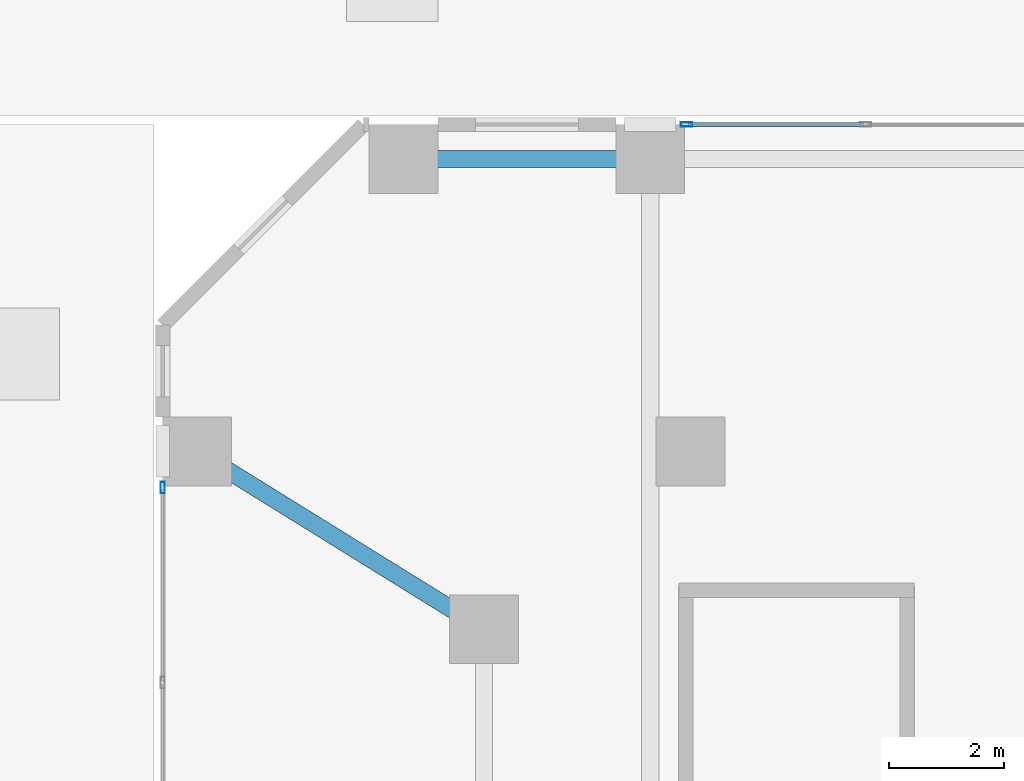
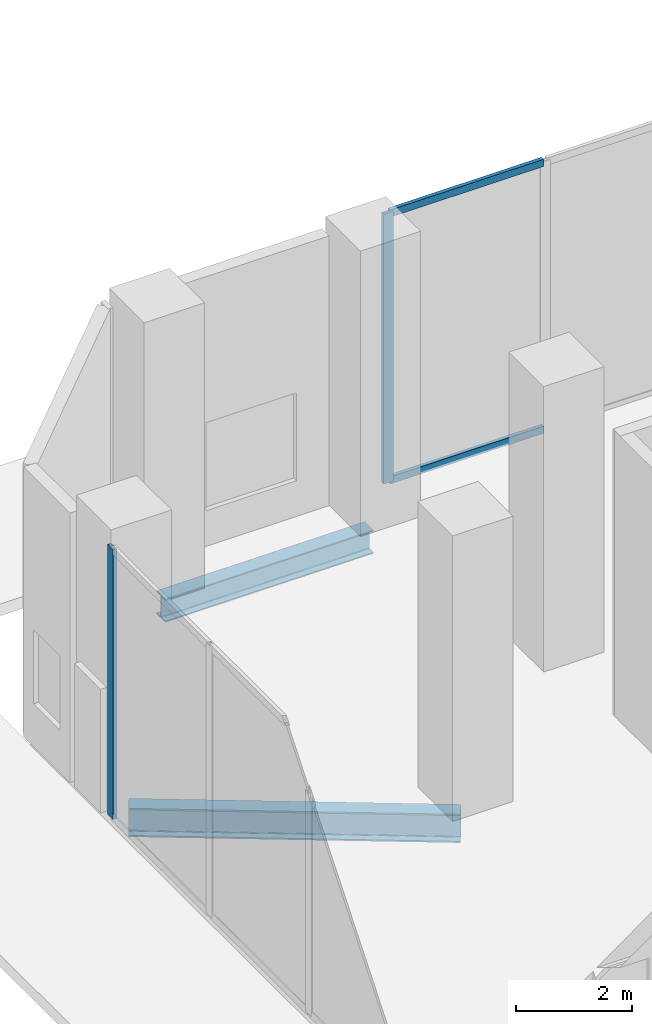
# One storey, part 8 of 26: 4 members, 2 beams, 2 elements without a shape of their own.
"""IFC4 building model written with IfcOpenShell, lengths in metres."""

import ifcopenshell
import ifcopenshell.guid

model = None  # the IFC model being written
_history = None  # IfcOwnerHistory: only IFC2X3 demands one
_inside = {}  # id of a spatial element -> (the spatial element, [elements in it])
_under = {}  # id of a project, library or spatial element -> (it, [spatial elements below it])
_declared = {}  # id of a project -> (the project, [libraries it declares])
_typed = {}  # id of a type object -> (the type object, [elements of that type])
_made_of = {}  # id of a material, layer set ... -> (it, [elements and type objects made of it])


def new_model(schema):
    """Start an empty IFC model of exactly this schema.

    Asked for "IFC4X3", IfcOpenShell would pick the latest addendum, in which some entities
    have other attributes; the version numbers below select the first issue.
    IFC2X3 requires an IfcOwnerHistory on every rooted entity: one is made here for all.
    """
    global model, _history
    if schema == "IFC4X3":
        model = ifcopenshell.file(schema_version=(4, 3, 0, 0))
    else:
        model = ifcopenshell.file(schema=schema)
    _inside.clear()
    _under.clear()
    _declared.clear()
    _typed.clear()
    _made_of.clear()
    _history = None
    if model.schema == "IFC2X3":
        org = make("IfcOrganization", Name="unknown")
        user = make(
            "IfcPersonAndOrganization",
            ThePerson=make("IfcPerson", FamilyName="unknown"),
            TheOrganization=org,
        )
        app = make(
            "IfcApplication",
            ApplicationDeveloper=org,
            Version="unknown",
            ApplicationFullName="unknown",
            ApplicationIdentifier="unknown",
        )
        _history = make(
            "IfcOwnerHistory",
            OwningUser=user,
            OwningApplication=app,
            ChangeAction="ADDED",
            CreationDate=0,
        )
    return model


def make(cls, **values):
    """One entity of the class cls with the attributes given. An attribute that is None is left unset."""
    return model.create_entity(
        cls, **{name: value for name, value in values.items() if value is not None}
    )


def rooted(cls, **values):
    """An entity with a GlobalId (a new one), such as an element, a storey or a relation."""
    return make(cls, GlobalId=ifcopenshell.guid.new(), OwnerHistory=_history, **values)


def si_unit(unit_type, name, prefix=None):
    """IfcSIUnit, for example si_unit("LENGTHUNIT", "METRE", prefix="MILLI")."""
    return make("IfcSIUnit", UnitType=unit_type, Prefix=prefix, Name=name)


def assignment(units):
    """IfcUnitAssignment: the units of a project."""
    return None if units is None else make("IfcUnitAssignment", Units=units)


def point(xyz):
    """IfcCartesianPoint."""
    return None if xyz is None else make("IfcCartesianPoint", Coordinates=xyz)


def direction(xyz):
    """IfcDirection."""
    return None if xyz is None else make("IfcDirection", DirectionRatios=xyz)


def frame(location, z_axis=None, x_axis=None):
    """IfcAxis2Placement3D, a coordinate frame: its origin and axes. An axis left out is left unset."""
    return make(
        "IfcAxis2Placement3D",
        Location=point(location),
        Axis=direction(z_axis),
        RefDirection=direction(x_axis),
    )


def frame_2d(location, x_axis=None):
    """IfcAxis2Placement2D, a coordinate frame in the plane: its origin and x axis."""
    return make(
        "IfcAxis2Placement2D", Location=point(location), RefDirection=direction(x_axis)
    )


def origin():
    """The frame at (0, 0, 0) with its axes left unset."""
    return frame((0.0, 0.0, 0.0))


def origin_2d():
    """The frame at (0, 0) in the plane with its x axis left unset."""
    return frame_2d((0.0, 0.0))


def place(relative_to, where):
    """IfcLocalPlacement: puts the frame where relative to a parent placement (None: the world)."""
    return make(
        "IfcLocalPlacement", PlacementRelTo=relative_to, RelativePlacement=where
    )


def context(
    kind, dimensions, precision=None, world=None, true_north=None, identifier=None
):
    """IfcGeometricRepresentationContext, for example the 3D "Model" context."""
    return make(
        "IfcGeometricRepresentationContext",
        ContextIdentifier=identifier,
        ContextType=kind,
        CoordinateSpaceDimension=dimensions,
        Precision=precision,
        WorldCoordinateSystem=world,
        TrueNorth=true_north,
    )


def subcontext(parent, identifier, kind, view, scale=None):
    """IfcGeometricRepresentationSubContext, for example "Body" below "Model"."""
    return make(
        "IfcGeometricRepresentationSubContext",
        ContextIdentifier=identifier,
        ContextType=kind,
        ParentContext=parent,
        TargetScale=scale,
        TargetView=view,
    )


def project(units=None, contexts=None):
    """IfcProject with its units and contexts."""
    return rooted(
        "IfcProject",
        Name="project",
        RepresentationContexts=contexts,
        UnitsInContext=assignment(units),
    )


def spatial(cls, under=None, at=None, **own):
    """A site, building, storey or space (cls), placed at a placement, below another one or the project."""
    s = rooted(cls, ObjectPlacement=at, **own)
    if under is not None:
        _under.setdefault(under.id(), (under, []))[1].append(s)
    return s


def profile(cls, at=None, kind="AREA", **sizes):
    """A parametric profile (cls). Its sizes go by their IFC names, for example OverallWidth=200.0."""
    return make(cls, ProfileType=kind, Position=at, **sizes)


def hollow_rectangle(**sizes):
    """IfcRectangleHollowProfileDef."""
    return profile("IfcRectangleHollowProfileDef", **sizes)


def i_section(**sizes):
    """IfcIShapeProfileDef."""
    return profile("IfcIShapeProfileDef", **sizes)


def extrude(swept, where, along, depth):
    """IfcExtrudedAreaSolid: the profile swept, set in the frame where, extruded along a direction by depth."""
    return make(
        "IfcExtrudedAreaSolid",
        SweptArea=swept,
        Position=where,
        ExtrudedDirection=direction(along),
        Depth=depth,
    )


def shape(context_of_items, identifier, shape_type, items):
    """IfcShapeRepresentation: the items that make up one representation, for example the "Body"."""
    return make(
        "IfcShapeRepresentation",
        ContextOfItems=context_of_items,
        RepresentationIdentifier=identifier,
        RepresentationType=shape_type,
        Items=items,
    )


def material(Name=None, Category=None):
    """IfcMaterial."""
    return make("IfcMaterial", Name=Name, Category=Category)


def layer(
    of_material, thickness, ventilated=None, Name=None, Category=None, Priority=None
):
    """IfcMaterialLayer: one layer of a wall or slab, of a material (None: an air gap)."""
    return make(
        "IfcMaterialLayer",
        Material=of_material,
        LayerThickness=thickness,
        IsVentilated=ventilated,
        Name=Name,
        Category=Category,
        Priority=Priority,
    )


def layer_set(layers, Name=None):
    """IfcMaterialLayerSet."""
    return make("IfcMaterialLayerSet", MaterialLayers=layers, LayerSetName=Name)


def material_profile(
    of_material, cross_section, Name=None, Category=None, Priority=None
):
    """IfcMaterialProfile: a cross section and its material."""
    return make(
        "IfcMaterialProfile",
        Name=Name,
        Material=of_material,
        Profile=cross_section,
        Priority=Priority,
        Category=Category,
    )


def profile_set(profiles, Name=None, composite=None):
    """IfcMaterialProfileSet."""
    return make(
        "IfcMaterialProfileSet",
        Name=Name,
        MaterialProfiles=profiles,
        CompositeProfile=composite,
    )


def made_of(thing, what):
    """Note that an element or type object is made of a material, layer set ...; save() writes the relation."""
    if what is not None:
        _made_of.setdefault(what.id(), (what, []))[1].append(thing)
    return thing


def type_object(cls, material=None, **own):
    """A type object (cls), such as IfcWallType, which elements share."""
    return made_of(rooted(cls, **own), material)


def element(
    cls,
    number,
    at=None,
    inside=None,
    cuts=None,
    type_object=None,
    material=None,
    context=None,
    identifier="Body",
    shape_type=None,
    held_by="IfcProductDefinitionShape",
    body=None,
    shapes=None,
    **own,
):
    """One element of the class cls, such as IfcWall. Its Tag is "e" and its number.

    at: its placement. inside: the storey or other place that contains it. cuts: it is an
    opening in that element (IfcRelVoidsElement). A single representation is given by context,
    identifier, shape_type and body (its items); several are given by shapes. held_by: the class
    of the entity that holds the representations. save() writes the other relations.
    """
    e = rooted(cls, Tag="e%d" % number, ObjectPlacement=at, **own)
    if body is not None:
        shapes = [shape(context, identifier, shape_type, body)]
    if shapes is not None:
        e.Representation = make(held_by, Representations=shapes)
    if inside is not None:
        _inside.setdefault(inside.id(), (inside, []))[1].append(e)
    if cuts is not None:
        rooted(
            "IfcRelVoidsElement", RelatingBuildingElement=cuts, RelatedOpeningElement=e
        )
    if type_object is not None:
        _typed.setdefault(type_object.id(), (type_object, []))[1].append(e)
    return made_of(e, material)


def aggregate(whole, parts):
    """IfcRelAggregates: a whole, such as a stair, and the parts it consists of."""
    return rooted("IfcRelAggregates", RelatingObject=whole, RelatedObjects=parts)


def save(model, path):
    """Write the relations noted so far, then the file.

    IfcRelAggregates (storeys below a building ...), IfcRelContainedInSpatialStructure (elements
    in a storey), IfcRelDefinesByType, IfcRelAssociatesMaterial and IfcRelDeclares: one each for
    every whole, place, type object, material and project.
    """
    for whole, parts in _under.values():
        aggregate(whole, parts)
    for where, things in _inside.values():
        rooted(
            "IfcRelContainedInSpatialStructure",
            RelatedElements=things,
            RelatingStructure=where,
        )
    for kind, things in _typed.values():
        rooted("IfcRelDefinesByType", RelatedObjects=things, RelatingType=kind)
    for what, things in _made_of.values():
        rooted("IfcRelAssociatesMaterial", RelatedObjects=things, RelatingMaterial=what)
    for by, libraries in _declared.values():
        rooted("IfcRelDeclares", RelatingContext=by, RelatedDefinitions=libraries)
    model.write(path)


model = new_model("IFC4")

# Units and contexts
model_context = context("Model", 3, precision=1e-05, world=origin(), true_north=direction((0.0, 1.0)))
body_context = subcontext(model_context, "Body", "Model", "MODEL_VIEW")
ifc_project = project(units=[si_unit("LENGTHUNIT", "METRE"), si_unit("AREAUNIT", "SQUARE_METRE"), si_unit("VOLUMEUNIT", "CUBIC_METRE"), si_unit("PLANEANGLEUNIT", "RADIAN"), si_unit("MASSUNIT", "GRAM", prefix="KILO")], contexts=[model_context])

# Site, building, storey
site_placement = place(None, origin())
site = spatial("IfcSite", under=ifc_project, at=site_placement, CompositionType="ELEMENT")
building_placement = place(site_placement, origin())
building = spatial("IfcBuilding", under=site, at=building_placement, Name="Catumbela Crestline Tower", CompositionType="ELEMENT")
storey_placement = place(building_placement, origin())
storey = spatial("IfcBuildingStorey", under=building, at=storey_placement, Name="L00", CompositionType="ELEMENT", Elevation=0.0)

# Beam
ifc_material_1 = material(Name="Structural steel S355J2", Category="steel")
ifc_material_profile_1 = material_profile(ifc_material_1, i_section(OverallWidth=0.3, OverallDepth=0.6, WebThickness=0.0155, FlangeThickness=0.03, FilletRadius=0.027, at=origin_2d()), Name="HEB 600")
ifc_profile_set_1 = profile_set([ifc_material_profile_1], Name="Structural steel S355J2")
beam_type_1 = type_object("IfcBeamType", Name="BG-HEB600", PredefinedType="BEAM", material=ifc_profile_set_1)
beam_1_placement = place(storey_placement, frame((0.668, 42.2578, -0.62), z_axis=(0.849908952007, -0.526929571479, 0.0), x_axis=(0.526929571479, 0.849908952007, 0.0)))
element("IfcBeam", 1, at=beam_1_placement, inside=storey, type_object=beam_type_1, Name="L00 Beam BM-L00-N11", PredefinedType="BEAM", context=body_context, shape_type="SweptSolid", body=[
    extrude(i_section(OverallWidth=0.3, OverallDepth=0.6, WebThickness=0.0155, FlangeThickness=0.03, FilletRadius=0.027, at=origin_2d()), origin(), (0.0, 0.0, 1.0), 5.723),
])

# Curtain wall, member
ifc_material_2 = material(Name="Aluminium alloy AW-6060-T66", Category="aluminium")
ifc_layer = layer(ifc_material_2, 0.18, Name="Aluminium alloy AW-6060-T66")
ifc_layer_set = layer_set([ifc_layer], Name="Aluminium alloy AW-6060-T66")
curtain_wall_type = type_object("IfcCurtainWallType", Name="CWS-POD", PredefinedType="USERDEFINED", material=ifc_layer_set)
curtain_wall_1_placement = place(storey_placement, origin())
curtain_wall_1 = element("IfcCurtainWall", 2, at=curtain_wall_1_placement, inside=storey, type_object=curtain_wall_type, Name="L00 Stick Curtain Wall CW-L00-E7S5", ObjectType="STICK", PredefinedType="USERDEFINED")
ifc_material_profile_2 = material_profile(ifc_material_2, hollow_rectangle(XDim=0.075, YDim=0.2, WallThickness=0.005, at=origin_2d()), Name="ALU 200x75x5")
ifc_profile_set_2 = profile_set([ifc_material_profile_2], Name="Aluminium alloy AW-6060-T66")
member_type_1 = type_object("IfcMemberType", Name="MUL-200X75", PredefinedType="MULLION", material=ifc_profile_set_2)
member_1_placement = place(storey_placement, frame((9.1325, 48.0, 0.0), z_axis=(0.0, 0.0, 1.0), x_axis=(0.0, -1.0, 0.0)))
member_1 = element("IfcMember", 3, at=member_1_placement, type_object=member_type_1, Name="CWS-POD mullion 3", PredefinedType="MULLION", context=body_context, shape_type="SweptSolid", body=[
    extrude(hollow_rectangle(XDim=0.075, YDim=0.2, WallThickness=0.005, at=origin_2d()), origin(), (0.0, 0.0, 1.0), 5.67),
])

curtain_wall_2_placement = place(storey_placement, origin())
curtain_wall_2 = element("IfcCurtainWall", 4, at=curtain_wall_2_placement, inside=storey, type_object=curtain_wall_type, Name="L00 Stick Curtain Wall CW-L00-E9S2", ObjectType="STICK", PredefinedType="USERDEFINED")
member_2_placement = place(storey_placement, frame((0.0, 41.6675, 0.0), z_axis=(0.0, 0.0, 1.0), x_axis=(1.0, 0.0, 0.0)))
member_2 = element("IfcMember", 5, at=member_2_placement, type_object=member_type_1, Name="CWS-POD mullion 1", PredefinedType="MULLION", context=body_context, shape_type="SweptSolid", body=[
    extrude(hollow_rectangle(XDim=0.075, YDim=0.2, WallThickness=0.005, at=origin_2d()), origin(), (0.0, 0.0, 1.0), 5.67),
])
aggregate(curtain_wall_2, [member_2])

# Beam
ifc_material_profile_3 = material_profile(ifc_material_1, i_section(OverallWidth=0.3, OverallDepth=0.49, WebThickness=0.012, FlangeThickness=0.023, FilletRadius=0.027, at=origin_2d()), Name="HEA 500")
ifc_profile_set_3 = profile_set([ifc_material_profile_3], Name="Structural steel S355J2")
beam_type_2 = type_object("IfcBeamType", Name="BS-HEA500", PredefinedType="SPANDREL", material=ifc_profile_set_3)
beam_2_placement = place(storey_placement, frame((4.28, 47.4, -0.565), z_axis=(1.0, 0.0, 0.0), x_axis=(0.0, 1.0, 0.0)))
element("IfcBeam", 6, at=beam_2_placement, inside=storey, type_object=beam_type_2, Name="L00 Spandrel SP-L00-NF17", PredefinedType="SPANDREL", context=body_context, shape_type="SweptSolid", body=[
    extrude(i_section(OverallWidth=0.3, OverallDepth=0.49, WebThickness=0.012, FlangeThickness=0.023, FilletRadius=0.027, at=origin_2d()), origin(), (0.0, 0.0, 1.0), 4.14),
])

# Member
ifc_material_profile_4 = material_profile(ifc_material_2, hollow_rectangle(XDim=0.075, YDim=0.15, WallThickness=0.0045, at=origin_2d()), Name="ALU 150x75x4.5")
ifc_profile_set_4 = profile_set([ifc_material_profile_4], Name="Aluminium alloy AW-6060-T66")
member_type_2 = type_object("IfcMemberType", Name="TRN-150X75", PredefinedType="USERDEFINED", material=ifc_profile_set_4)
member_3_placement = place(storey_placement, frame((12.2175, 48.0, 0.03), z_axis=(-1.0, 0.0, 0.0), x_axis=(0.0, -1.0, 0.0)))
member_3 = element("IfcMember", 7, at=member_3_placement, type_object=member_type_2, Name="CWS-POD transom 2.1", ObjectType="TRANSOM", PredefinedType="USERDEFINED", context=body_context, shape_type="SweptSolid", body=[
    extrude(hollow_rectangle(XDim=0.075, YDim=0.15, WallThickness=0.0045, at=origin_2d()), origin(), (0.0, 0.0, 1.0), 3.0525),
])

member_4_placement = place(storey_placement, frame((12.2175, 48.0, 5.64), z_axis=(-1.0, 0.0, 0.0), x_axis=(0.0, -1.0, 0.0)))
member_4 = element("IfcMember", 8, at=member_4_placement, type_object=member_type_2, Name="CWS-POD transom 2.2", ObjectType="TRANSOM", PredefinedType="USERDEFINED", context=body_context, shape_type="SweptSolid", body=[
    extrude(hollow_rectangle(XDim=0.075, YDim=0.15, WallThickness=0.0045, at=origin_2d()), origin(), (0.0, 0.0, 1.0), 3.0525),
])

aggregate(curtain_wall_1, [member_1, member_3, member_4])

save(model, "model.ifc")
